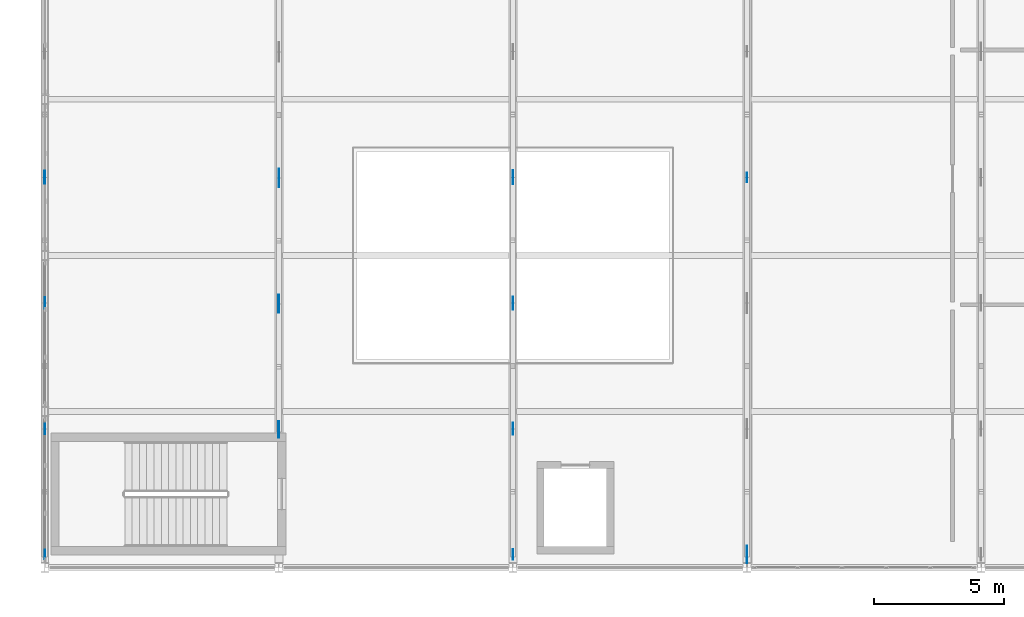
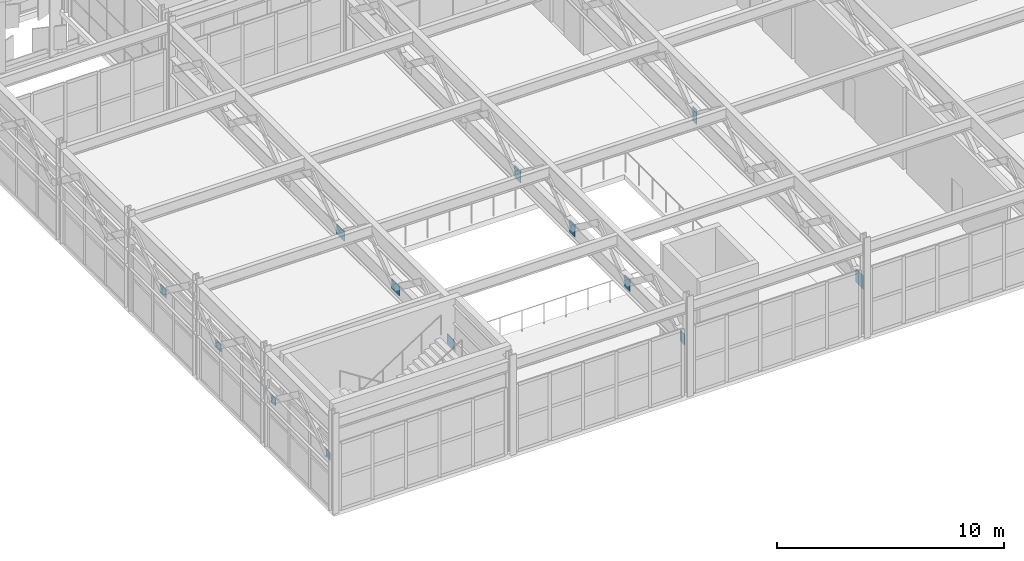
# One storey, part 150 of 210: 13 plates.
"""IFC4 building model written with IfcOpenShell, lengths in metres."""

from ifc_helpers import new_model, si_unit, direction, frame, origin, origin_2d, place, context, subcontext, project, spatial, rectangle, extrude, material, type_object, element, save


model = new_model("IFC4")

# Units and contexts
model_context = context("Model", 3, precision=1e-05, world=origin(), true_north=direction((0.0, 1.0)))
body_context = subcontext(model_context, "Body", "Model", "MODEL_VIEW")
ifc_project = project(units=[si_unit("LENGTHUNIT", "METRE"), si_unit("AREAUNIT", "SQUARE_METRE"), si_unit("VOLUMEUNIT", "CUBIC_METRE"), si_unit("PLANEANGLEUNIT", "RADIAN"), si_unit("MASSUNIT", "GRAM", prefix="KILO")], contexts=[model_context])

# Site, building, storey
site_placement = place(None, origin())
site = spatial("IfcSite", under=ifc_project, at=site_placement, CompositionType="ELEMENT")
building_placement = place(site_placement, origin())
building = spatial("IfcBuilding", under=site, at=building_placement, Name="Kaldris Quays Convention Centre", CompositionType="ELEMENT")
storey_placement = place(building_placement, frame((0.0, 0.0, 6.0)))
storey = spatial("IfcBuildingStorey", under=building, at=storey_placement, Name="L01", CompositionType="ELEMENT", Elevation=6.0)

# Plates
ifc_material = material(Name="Steel S355J2", Category="steel")
plate_type_1 = type_object("IfcPlateType", Name="GUSSET PLATE GP01", PredefinedType="USERDEFINED", material=ifc_material)
plate_1_placement = place(storey_placement, frame((20.0, 16.5, 2.550048828125), z_axis=(0.0, 0.0, 1.0), x_axis=(1.0, 0.0, 0.0)))
element("IfcPlate", 1, at=plate_1_placement, inside=storey, type_object=plate_type_1, Name="Transfer Truss Gusset Plate GP01 1", ObjectType="GUSSET PLATE", PredefinedType="USERDEFINED", context=body_context, shape_type="SweptSolid", body=[
    extrude(rectangle(XDim=0.01806640625, YDim=0.360107421875, at=origin_2d()), origin(), (0.0, 0.0, 1.0), 0.39990234375),
])
plate_type_2 = type_object("IfcPlateType", Name="GUSSET PLATE GP02", PredefinedType="USERDEFINED", material=ifc_material)
plate_2_placement = place(storey_placement, frame((20.0, 21.333251953125, 2.550048828125), z_axis=(0.0, 0.0, 1.0), x_axis=(1.0, 0.0, 0.0)))
element("IfcPlate", 2, at=plate_2_placement, inside=storey, type_object=plate_type_2, Name="Transfer Truss Gusset Plate GP02 2", ObjectType="GUSSET PLATE", PredefinedType="USERDEFINED", context=body_context, shape_type="SweptSolid", body=[
    extrude(rectangle(XDim=0.02001953125, YDim=0.405029296875, at=origin_2d()), origin(), (0.0, 0.0, 1.0), 0.39990234375),
])
plate_type_3 = type_object("IfcPlateType", Name="GUSSET PLATE GP03", PredefinedType="USERDEFINED", material=ifc_material)
plate_3_placement = place(storey_placement, frame((20.0, 26.166748046875, 2.550048828125), z_axis=(0.0, 0.0, 1.0), x_axis=(1.0, 0.0, 0.0)))
element("IfcPlate", 3, at=plate_3_placement, inside=storey, type_object=plate_type_3, Name="Transfer Truss Gusset Plate GP03 3", ObjectType="GUSSET PLATE", PredefinedType="USERDEFINED", context=body_context, shape_type="SweptSolid", body=[
    extrude(rectangle(XDim=0.02197265625, YDim=0.449951171875, at=origin_2d()), origin(), (0.0, 0.0, 1.0), 0.39990234375),
])
plate_type_4 = type_object("IfcPlateType", Name="GUSSET PLATE GP04", PredefinedType="USERDEFINED", material=ifc_material)
plate_4_placement = place(storey_placement, frame((20.0, 31.0, 2.517578125), z_axis=(0.0, 0.0, 1.0), x_axis=(1.0, 0.0, 0.0)))
element("IfcPlate", 4, at=plate_4_placement, inside=storey, type_object=plate_type_4, Name="Transfer Truss Gusset Plate GP04 4", ObjectType="GUSSET PLATE", PredefinedType="USERDEFINED", context=body_context, shape_type="SweptSolid", body=[
    extrude(rectangle(XDim=0.02392578125, YDim=0.4951171875, at=origin_2d()), origin(), (0.0, 0.0, 1.0), 0.465087890625),
])
plate_type_5 = type_object("IfcPlateType", Name="GUSSET PLATE GP07", PredefinedType="USERDEFINED", material=ifc_material)
plate_5_placement = place(storey_placement, frame((29.0, 21.300048828125, 2.48486328125), z_axis=(0.0, 0.0, 1.0), x_axis=(1.0, 0.0, 0.0)))
element("IfcPlate", 5, at=plate_5_placement, inside=storey, type_object=plate_type_5, Name="Transfer Truss Gusset Plate GP07 7", ObjectType="GUSSET PLATE", PredefinedType="USERDEFINED", context=body_context, shape_type="SweptSolid", body=[
    extrude(rectangle(XDim=0.030029296875, YDim=0.6298828125, at=origin_2d()), origin(), (0.0, 0.0, 1.0), 0.530029296875),
])
plate_type_6 = type_object("IfcPlateType", Name="GUSSET PLATE GP08", PredefinedType="USERDEFINED", material=ifc_material)
plate_6_placement = place(storey_placement, frame((29.0, 26.139892578125, 2.48486328125), z_axis=(0.0, 0.0, 1.0), x_axis=(1.0, 0.0, 0.0)))
element("IfcPlate", 6, at=plate_6_placement, inside=storey, type_object=plate_type_6, Name="Transfer Truss Gusset Plate GP08 8", ObjectType="GUSSET PLATE", PredefinedType="USERDEFINED", context=body_context, shape_type="SweptSolid", body=[
    extrude(rectangle(XDim=0.031982421875, YDim=0.675048828125, at=origin_2d()), origin(), (0.0, 0.0, 1.0), 0.530029296875),
])
plate_type_7 = type_object("IfcPlateType", Name="GUSSET PLATE GP09", PredefinedType="USERDEFINED", material=ifc_material)
plate_7_placement = place(storey_placement, frame((29.0, 30.97998046875, 2.48486328125), z_axis=(0.0, 0.0, 1.0), x_axis=(1.0, 0.0, 0.0)))
element("IfcPlate", 7, at=plate_7_placement, inside=storey, type_object=plate_type_7, Name="Transfer Truss Gusset Plate GP09 9", ObjectType="GUSSET PLATE", PredefinedType="USERDEFINED", context=body_context, shape_type="SweptSolid", body=[
    extrude(rectangle(XDim=0.01806640625, YDim=0.719970703125, at=origin_2d()), origin(), (0.0, 0.0, 1.0), 0.530029296875),
])
plate_type_8 = type_object("IfcPlateType", Name="GUSSET PLATE GP12", PredefinedType="USERDEFINED", material=ifc_material)
plate_8_placement = place(storey_placement, frame((38.0, 16.5, 2.45263671875), z_axis=(0.0, 0.0, 1.0), x_axis=(1.0, 0.0, 0.0)))
element("IfcPlate", 8, at=plate_8_placement, inside=storey, type_object=plate_type_8, Name="Transfer Truss Gusset Plate GP12 12", ObjectType="GUSSET PLATE", PredefinedType="USERDEFINED", context=body_context, shape_type="SweptSolid", body=[
    extrude(rectangle(XDim=0.02392578125, YDim=0.405029296875, at=origin_2d()), origin(), (0.0, 0.0, 1.0), 0.594970703125),
])
plate_type_9 = type_object("IfcPlateType", Name="GUSSET PLATE GP13", PredefinedType="USERDEFINED", material=ifc_material)
plate_9_placement = place(storey_placement, frame((38.0, 21.333251953125, 2.419921875), z_axis=(0.0, 0.0, 1.0), x_axis=(1.0, 0.0, 0.0)))
element("IfcPlate", 9, at=plate_9_placement, inside=storey, type_object=plate_type_9, Name="Transfer Truss Gusset Plate GP13 13", ObjectType="GUSSET PLATE", PredefinedType="USERDEFINED", context=body_context, shape_type="SweptSolid", body=[
    extrude(rectangle(XDim=0.02587890625, YDim=0.449951171875, at=origin_2d()), origin(), (0.0, 0.0, 1.0), 0.659912109375),
])
plate_type_10 = type_object("IfcPlateType", Name="GUSSET PLATE GP14", PredefinedType="USERDEFINED", material=ifc_material)
plate_10_placement = place(storey_placement, frame((38.0, 26.166748046875, 2.419921875), z_axis=(0.0, 0.0, 1.0), x_axis=(1.0, 0.0, 0.0)))
element("IfcPlate", 10, at=plate_10_placement, inside=storey, type_object=plate_type_10, Name="Transfer Truss Gusset Plate GP14 14", ObjectType="GUSSET PLATE", PredefinedType="USERDEFINED", context=body_context, shape_type="SweptSolid", body=[
    extrude(rectangle(XDim=0.028076171875, YDim=0.4951171875, at=origin_2d()), origin(), (0.0, 0.0, 1.0), 0.659912109375),
])
plate_type_11 = type_object("IfcPlateType", Name="GUSSET PLATE GP15", PredefinedType="USERDEFINED", material=ifc_material)
plate_11_placement = place(storey_placement, frame((38.0, 31.0, 2.419921875), z_axis=(0.0, 0.0, 1.0), x_axis=(1.0, 0.0, 0.0)))
element("IfcPlate", 11, at=plate_11_placement, inside=storey, type_object=plate_type_11, Name="Transfer Truss Gusset Plate GP15 15", ObjectType="GUSSET PLATE", PredefinedType="USERDEFINED", context=body_context, shape_type="SweptSolid", body=[
    extrude(rectangle(XDim=0.030029296875, YDim=0.5400390625, at=origin_2d()), origin(), (0.0, 0.0, 1.0), 0.659912109375),
])
plate_type_12 = type_object("IfcPlateType", Name="GUSSET PLATE GP18", PredefinedType="USERDEFINED", material=ifc_material)
plate_12_placement = place(storey_placement, frame((47.0, 16.5, 2.387451171875), z_axis=(0.0, 0.0, 1.0), x_axis=(1.0, 0.0, 0.0)))
element("IfcPlate", 12, at=plate_12_placement, inside=storey, type_object=plate_type_12, Name="Transfer Truss Gusset Plate GP18 18", ObjectType="GUSSET PLATE", PredefinedType="USERDEFINED", context=body_context, shape_type="SweptSolid", body=[
    extrude(rectangle(XDim=0.02001953125, YDim=0.675048828125, at=origin_2d()), origin(), (0.0, 0.0, 1.0), 0.72509765625),
])
plate_type_13 = type_object("IfcPlateType", Name="GUSSET PLATE GP21", PredefinedType="USERDEFINED", material=ifc_material)
plate_13_placement = place(storey_placement, frame((47.0, 31.0, 2.35498046875), z_axis=(0.0, 0.0, 1.0), x_axis=(1.0, 0.0, 0.0)))
element("IfcPlate", 13, at=plate_13_placement, inside=storey, type_object=plate_type_13, Name="Transfer Truss Gusset Plate GP21 21", ObjectType="GUSSET PLATE", PredefinedType="USERDEFINED", context=body_context, shape_type="SweptSolid", body=[
    extrude(rectangle(XDim=0.02587890625, YDim=0.360107421875, at=origin_2d()), origin(), (0.0, 0.0, 1.0), 0.7900390625),
])

save(model, "model.ifc")
